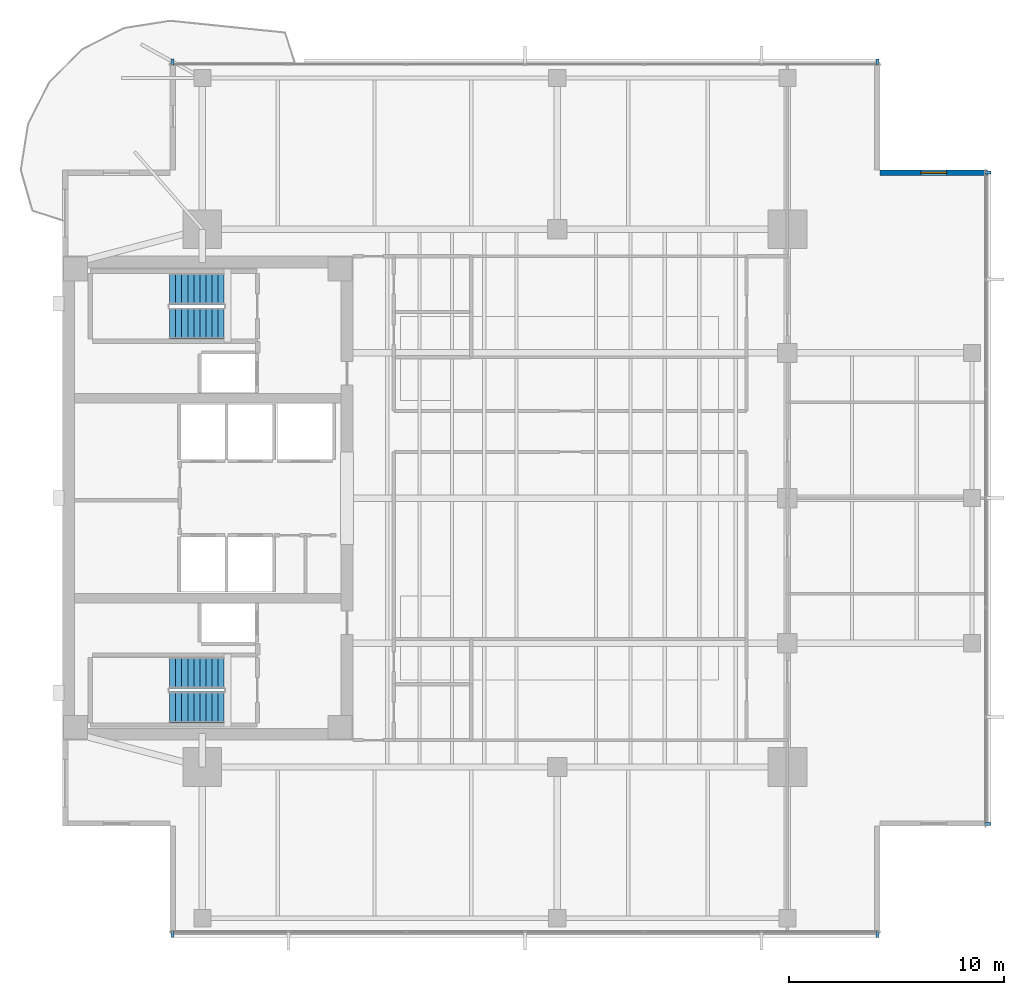
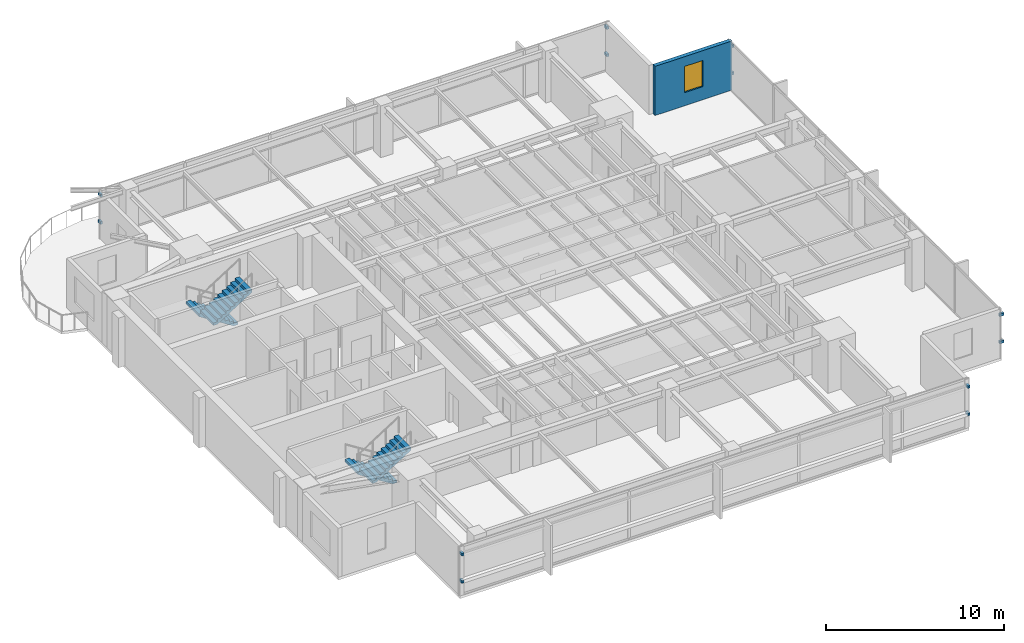
# One storey, part 10 of 14: 12 discrete accessories, 4 stair flights, 1 wall, 1 window, 1 opening, 2 elements without a shape of their own.
"""IFC4 building model written with IfcOpenShell, lengths in metres."""

from ifc_helpers import new_model, si_unit, direction, frame, frame_2d, origin, origin_2d, place, context, subcontext, project, spatial, polyline, rectangle, outline, extrude, material, layer, layer_set, type_object, element, fill, aggregate, save


model = new_model("IFC4")

# Units and contexts
model_context = context("Model", 3, precision=1e-05, world=origin(), true_north=direction((0.0, 1.0)))
body_context = subcontext(model_context, "Body", "Model", "MODEL_VIEW")
ifc_project = project(units=[si_unit("LENGTHUNIT", "METRE"), si_unit("AREAUNIT", "SQUARE_METRE"), si_unit("VOLUMEUNIT", "CUBIC_METRE"), si_unit("PLANEANGLEUNIT", "RADIAN"), si_unit("MASSUNIT", "GRAM", prefix="KILO")], contexts=[model_context])

# Site, building, storey
site_placement = place(None, origin())
site = spatial("IfcSite", under=ifc_project, at=site_placement, CompositionType="ELEMENT")
building_placement = place(site_placement, origin())
building = spatial("IfcBuilding", under=site, at=building_placement, Name="Kinhvarn Gate Tower", CompositionType="ELEMENT")
storey_placement = place(building_placement, frame((0.0, 0.0, 202.25)))
storey = spatial("IfcBuildingStorey", under=building, at=storey_placement, Name="L53", CompositionType="ELEMENT", Elevation=202.25)

# Wall, opening, window
ifc_material_1 = material(Name="Fired architectural terracotta", Category="masonry")
ifc_layer = layer(ifc_material_1, 0.25)
ifc_layer_set = layer_set([ifc_layer], Name="Fired architectural terracotta")
wall_type = type_object("IfcWallType", Name="WL-EXT-250", PredefinedType="SOLIDWALL", material=ifc_layer_set)
wall_placement = place(storey_placement, frame((47.5, 40.375, 0.0), z_axis=(0.0, 0.0, 1.0), x_axis=(-1.0, 0.0, 0.0)))
wall = element("IfcWall", 1, at=wall_placement, inside=storey, type_object=wall_type, Name="Exterior Solidwall Wall EW-250 (L53 NE-Notch-1)", PredefinedType="SOLIDWALL", context=body_context, shape_type="SweptSolid", body=[
    extrude(rectangle(XDim=5.0, YDim=0.25, at=frame_2d((2.5, 0.0))), origin(), (0.0, 0.0, 1.0), 3.3701171875),
])
opening_placement = place(wall_placement, frame((1.89990234375, 0.0, 0.89990234375)))
opening = element("IfcOpeningElement", 2, at=opening_placement, cuts=wall, Name="Opening WN-02", PredefinedType="OPENING", context=body_context, shape_type="SweptSolid", body=[
    extrude(rectangle(XDim=1.199951171875, YDim=1.800048828125, at=frame_2d((0.60009765625, 0.89990234375))), frame((0.0, 0.135009765625, 0.0), z_axis=(0.0, -1.0, 0.0), x_axis=(1.0, 0.0, 0.0)), (0.0, 0.0, 1.0), 0.27001953125),
])
ifc_material_2 = material(Name="Clear low-e double glazing", Category="glass")
window_type = type_object("IfcWindowType", Name="WIN-NTC-1200", PartitioningType="SINGLE_PANEL", PredefinedType="WINDOW", material=ifc_material_2)
window_placement = place(opening_placement, origin())
window = element("IfcWindow", 3, at=window_placement, inside=storey, type_object=window_type, Name="Recessed Corner Notch Punched Window 1200x1800 mm (L53)", OverallHeight=1.800048828125, OverallWidth=1.199951171875, PartitioningType="SINGLE_PANEL", PredefinedType="WINDOW", context=body_context, shape_type="SweptSolid", body=[
    extrude(rectangle(XDim=1.199951171875, YDim=1.800048828125, at=frame_2d((0.60009765625, 0.89990234375))), frame((0.0, 0.030029296875, 0.0), z_axis=(0.0, -1.0, 0.0), x_axis=(1.0, 0.0, 0.0)), (0.0, 0.0, 1.0), 0.06005859375),
])
fill(opening, window)

# Stair, stair flights
ifc_material_3 = material(Name="Concrete C40/50", Category="concrete")
stair_type = type_object("IfcStairType", Name="STR-DLG-178", PredefinedType="HALF_TURN_STAIR", material=ifc_material_3)
stair_1_placement = place(storey_placement, origin())
stair_1 = element("IfcStair", 4, at=stair_1_placement, inside=storey, type_object=stair_type, Name="L53 Core Smokeproof Exit Stair ST1", PredefinedType="HALF_TURN_STAIR")
stair_flight_type = type_object("IfcStairFlightType", Name="STF-DLG-178", PredefinedType="STRAIGHT", material=ifc_material_3)
stair_flight_1_placement = place(storey_placement, frame((12.0, 17.125, 0.0), z_axis=(0.0, 0.0, 1.0), x_axis=(-1.0, 0.0, 0.0)))
stair_flight_1 = element("IfcStairFlight", 5, at=stair_flight_1_placement, type_object=stair_flight_type, Name="ST1 flight 1", NumberOfRisers=10, NumberOfTreads=9, PredefinedType="STRAIGHT", RiserHeight=0.1775, TreadLength=0.28, context=body_context, shape_type="SweptSolid", body=[
    extrude(outline(polyline([(0.0, 0.0), (0.0, 0.177490234375), (0.280029296875, 0.177490234375), (0.280029296875, 0.35498046875), (0.56005859375, 0.35498046875), (0.56005859375, 0.532470703125), (0.840087890625, 0.532470703125), (0.840087890625, 0.7099609375), (1.1201171875, 0.7099609375), (1.1201171875, 0.887451171875), (1.39990234375, 0.887451171875), (1.39990234375, 1.06494140625), (1.679931640625, 1.06494140625), (1.679931640625, 1.242431640625), (1.9599609375, 1.242431640625), (1.9599609375, 1.419921875), (2.239990234375, 1.419921875), (2.239990234375, 1.597412109375), (2.52001953125, 1.597412109375), (2.52001953125, 1.77490234375), (2.52001953125, 1.419921875), (0.280029296875, 0.0), (0.0, 0.0)])), frame((0.0, 0.72509765625, 0.0), z_axis=(0.0, -1.0, 0.0), x_axis=(1.0, 0.0, 0.0)), (0.0, 0.0, 1.0), 1.449951171875),
])
stair_flight_2_placement = place(storey_placement, frame((9.47998046875, 15.52490234375, 1.77490234375), z_axis=(0.0, 0.0, 1.0), x_axis=(1.0, 0.0, 0.0)))
stair_flight_2 = element("IfcStairFlight", 6, at=stair_flight_2_placement, type_object=stair_flight_type, Name="ST1 flight 2", NumberOfRisers=10, NumberOfTreads=9, PredefinedType="STRAIGHT", RiserHeight=0.1775, TreadLength=0.28, context=body_context, shape_type="SweptSolid", body=[
    extrude(outline(polyline([(0.0, 0.0), (0.0, 0.177490234375), (0.280029296875, 0.177490234375), (0.280029296875, 0.35498046875), (0.56005859375, 0.35498046875), (0.56005859375, 0.532470703125), (0.840087890625, 0.532470703125), (0.840087890625, 0.7099609375), (1.1201171875, 0.7099609375), (1.1201171875, 0.887451171875), (1.39990234375, 0.887451171875), (1.39990234375, 1.06494140625), (1.679931640625, 1.06494140625), (1.679931640625, 1.242431640625), (1.9599609375, 1.242431640625), (1.9599609375, 1.419921875), (2.239990234375, 1.419921875), (2.239990234375, 1.597412109375), (2.52001953125, 1.597412109375), (2.52001953125, 1.77490234375), (2.52001953125, 1.419921875), (0.280029296875, 0.0), (0.0, 0.0)])), frame((0.0, 0.72509765625, 0.0), z_axis=(0.0, -1.0, 0.0), x_axis=(1.0, 0.0, 0.0)), (0.0, 0.0, 1.0), 1.449951171875),
])
aggregate(stair_1, [stair_flight_1, stair_flight_2])

stair_2_placement = place(storey_placement, origin())
stair_2 = element("IfcStair", 7, at=stair_2_placement, inside=storey, type_object=stair_type, Name="L53 Core Smokeproof Exit Stair ST2", PredefinedType="HALF_TURN_STAIR")
stair_flight_3_placement = place(storey_placement, frame((12.0, 34.97509765625, 0.0), z_axis=(0.0, 0.0, 1.0), x_axis=(-1.0, 0.0, 0.0)))
stair_flight_3 = element("IfcStairFlight", 8, at=stair_flight_3_placement, type_object=stair_flight_type, Name="ST2 flight 1", NumberOfRisers=10, NumberOfTreads=9, PredefinedType="STRAIGHT", RiserHeight=0.1775, TreadLength=0.28, context=body_context, shape_type="SweptSolid", body=[
    extrude(outline(polyline([(0.0, 0.0), (0.0, 0.177490234375), (0.280029296875, 0.177490234375), (0.280029296875, 0.35498046875), (0.56005859375, 0.35498046875), (0.56005859375, 0.532470703125), (0.840087890625, 0.532470703125), (0.840087890625, 0.7099609375), (1.1201171875, 0.7099609375), (1.1201171875, 0.887451171875), (1.39990234375, 0.887451171875), (1.39990234375, 1.06494140625), (1.679931640625, 1.06494140625), (1.679931640625, 1.242431640625), (1.9599609375, 1.242431640625), (1.9599609375, 1.419921875), (2.239990234375, 1.419921875), (2.239990234375, 1.597412109375), (2.52001953125, 1.597412109375), (2.52001953125, 1.77490234375), (2.52001953125, 1.419921875), (0.280029296875, 0.0), (0.0, 0.0)])), frame((0.0, 0.72509765625, 0.0), z_axis=(0.0, -1.0, 0.0), x_axis=(1.0, 0.0, 0.0)), (0.0, 0.0, 1.0), 1.449951171875),
])
stair_flight_4_placement = place(storey_placement, frame((9.47998046875, 33.375, 1.77490234375), z_axis=(0.0, 0.0, 1.0), x_axis=(1.0, 0.0, 0.0)))
stair_flight_4 = element("IfcStairFlight", 9, at=stair_flight_4_placement, type_object=stair_flight_type, Name="ST2 flight 2", NumberOfRisers=10, NumberOfTreads=9, PredefinedType="STRAIGHT", RiserHeight=0.1775, TreadLength=0.28, context=body_context, shape_type="SweptSolid", body=[
    extrude(outline(polyline([(0.0, 0.0), (0.0, 0.177490234375), (0.280029296875, 0.177490234375), (0.280029296875, 0.35498046875), (0.56005859375, 0.35498046875), (0.56005859375, 0.532470703125), (0.840087890625, 0.532470703125), (0.840087890625, 0.7099609375), (1.1201171875, 0.7099609375), (1.1201171875, 0.887451171875), (1.39990234375, 0.887451171875), (1.39990234375, 1.06494140625), (1.679931640625, 1.06494140625), (1.679931640625, 1.242431640625), (1.9599609375, 1.242431640625), (1.9599609375, 1.419921875), (2.239990234375, 1.419921875), (2.239990234375, 1.597412109375), (2.52001953125, 1.597412109375), (2.52001953125, 1.77490234375), (2.52001953125, 1.419921875), (0.280029296875, 0.0), (0.0, 0.0)])), frame((0.0, 0.72509765625, 0.0), z_axis=(0.0, -1.0, 0.0), x_axis=(1.0, 0.0, 0.0)), (0.0, 0.0, 1.0), 1.449951171875),
])
aggregate(stair_2, [stair_flight_3, stair_flight_4])

# Discrete accessories
ifc_material_4 = material(Name="Anodised aluminium AW-6063", Category="aluminium")
discrete_accessory_type = type_object("IfcDiscreteAccessoryType", Name="ACC-BRK-01", PredefinedType="BRACKET", material=ifc_material_4)
for number, where, z_axis, x_axis, name in (
    (10, (9.60009765625, 4.969970703125, 0.9599609375), (0.0, 0.0, 1.0), (1.0, 0.0, 0.0), "Baguette Support Bracket BK-01 (L53)"),
    (11, (9.60009765625, 4.969970703125, 2.830078125), (0.0, 0.0, 1.0), (1.0, 0.0, 0.0), "Baguette Support Bracket BK-01 (L53)"),
    (12, (42.39990234375, 4.969970703125, 0.9599609375), (0.0, 0.0, 1.0), (1.0, 0.0, 0.0), "Baguette Support Bracket BK-01 (L53)"),
    (13, (42.39990234375, 4.969970703125, 2.830078125), (0.0, 0.0, 1.0), (1.0, 0.0, 0.0), "Baguette Support Bracket BK-01 (L53)"),
    (14, (42.39990234375, 45.530029296875, 0.9599609375), (0.0, 0.0, 1.0), (-1.0, 0.0, 0.0), "Baguette Support Bracket BK-01 (L53)"),
    (15, (42.39990234375, 45.530029296875, 2.830078125), (0.0, 0.0, 1.0), (-1.0, 0.0, 0.0), "Baguette Support Bracket BK-01 (L53)"),
    (16, (9.60009765625, 45.530029296875, 0.9599609375), (0.0, 0.0, 1.0), (-1.0, 0.0, 0.0), "Baguette Support Bracket BK-01 (L53)"),
    (17, (9.60009765625, 45.530029296875, 2.830078125), (0.0, 0.0, 1.0), (-1.0, 0.0, 0.0), "Baguette Support Bracket BK-01 (L53)"),
    (18, (47.530029296875, 10.10009765625, 0.9599609375), (0.0, 0.0, 1.0), (0.0, 1.0, 0.0), "Baguette Support Bracket BK-01 (L53)"),
    (19, (47.530029296875, 10.10009765625, 2.830078125), (0.0, 0.0, 1.0), (0.0, 1.0, 0.0), "Baguette Support Bracket BK-01 (L53)"),
    (20, (47.530029296875, 40.39990234375, 0.9599609375), (0.0, 0.0, 1.0), (0.0, 1.0, 0.0), "Baguette Support Bracket BK-01 (L53)"),
    (21, (47.530029296875, 40.39990234375, 2.830078125), (0.0, 0.0, 1.0), (0.0, 1.0, 0.0), "Baguette Support Bracket BK-01 (L53)"),
):
    element("IfcDiscreteAccessory", number, at=place(storey_placement, frame(where, z_axis=z_axis, x_axis=x_axis)), inside=storey, type_object=discrete_accessory_type, Name=name, PredefinedType="BRACKET", context=body_context, shape_type="SweptSolid", body=[
        extrude(rectangle(XDim=0.139892578125, YDim=0.280029296875, at=origin_2d()), origin(), (0.0, 0.0, 1.0), 0.179931640625),
    ])

save(model, "model.ifc")
